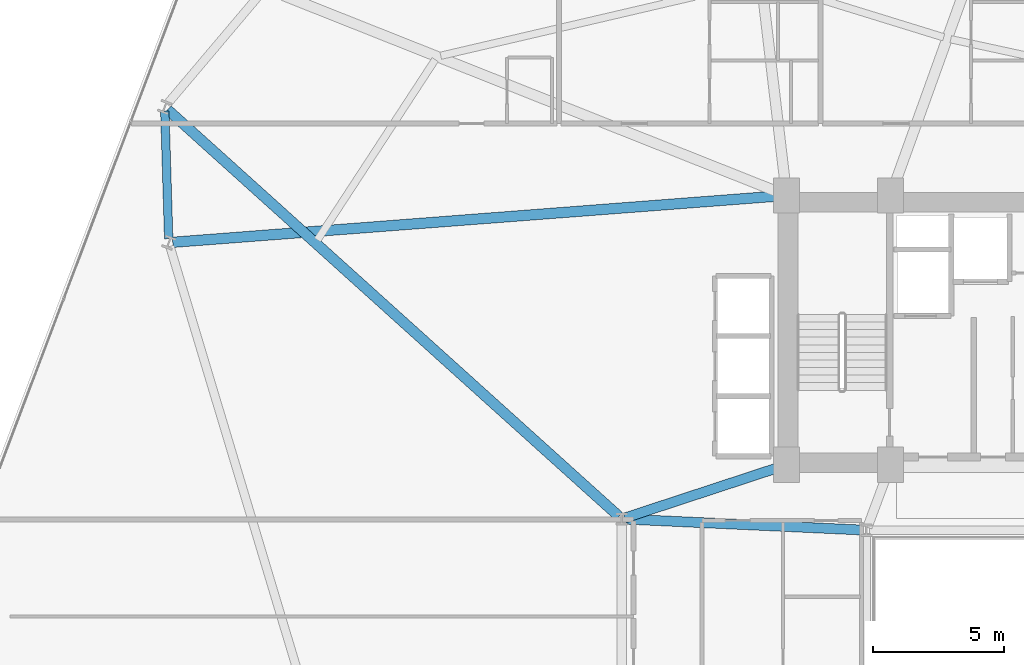
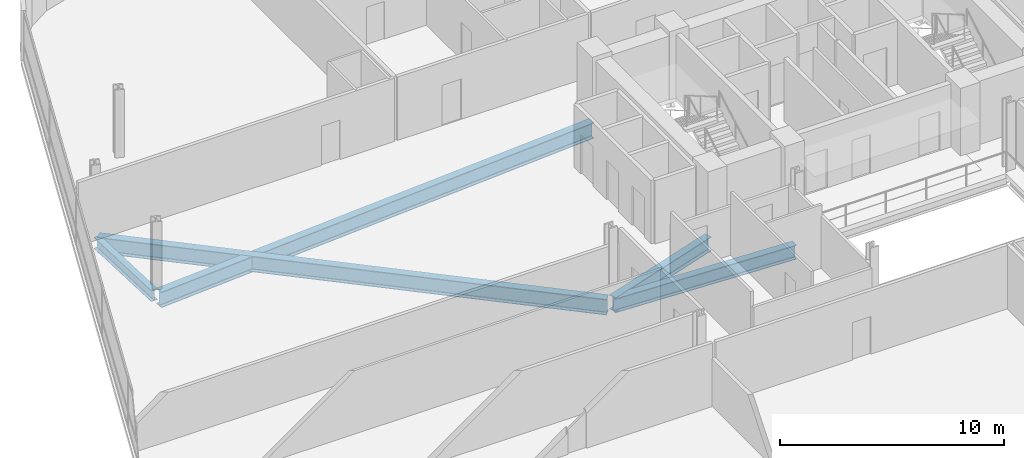
# One storey, part 7 of 24: 5 beams.
"""IFC4 building model written with IfcOpenShell, lengths in metres."""

from ifc_helpers import new_model, si_unit, direction, frame, origin, origin_2d, place, context, subcontext, project, spatial, i_section, extrude, material, material_profile, profile_set, type_object, element, save


model = new_model("IFC4")

# Units and contexts
model_context = context("Model", 3, precision=1e-05, world=origin(), true_north=direction((0.0, 1.0)))
body_context = subcontext(model_context, "Body", "Model", "MODEL_VIEW")
ifc_project = project(units=[si_unit("LENGTHUNIT", "METRE"), si_unit("AREAUNIT", "SQUARE_METRE"), si_unit("VOLUMEUNIT", "CUBIC_METRE"), si_unit("PLANEANGLEUNIT", "RADIAN"), si_unit("MASSUNIT", "GRAM", prefix="KILO")], contexts=[model_context])

# Site, building, storey
site_placement = place(None, origin())
site = spatial("IfcSite", under=ifc_project, at=site_placement, CompositionType="ELEMENT")
building_placement = place(site_placement, origin())
building = spatial("IfcBuilding", under=site, at=building_placement, Name="Varnelok Gate Tower", CompositionType="ELEMENT")
storey_placement = place(building_placement, frame((0.0, 0.0, 102.10009765625)))
storey = spatial("IfcBuildingStorey", under=building, at=storey_placement, Name="L25", CompositionType="ELEMENT", Elevation=102.10009765625)

# Beams
ifc_material = material(Name="Structural Steel ASTM A992 Grade 50", Category="steel")
ifc_material_profile_1 = material_profile(ifc_material, i_section(OverallWidth=0.381103515625, OverallDepth=0.77294921875, WebThickness=0.0166015625, FlangeThickness=0.027099609375, FilletRadius=0.02197265625, at=origin_2d()), Name="W30X173")
ifc_profile_set_1 = profile_set([ifc_material_profile_1], Name="Structural Steel ASTM A992 Grade 50")
beam_type_1 = type_object("IfcBeamType", Name="BM-PRI-W30X173", PredefinedType="BEAM", material=ifc_profile_set_1)
beam_1_placement = place(storey_placement, frame((24.52001953125, 26.674560546875, -0.63671875), z_axis=(0.99894427814, -0.045938319209, 0.0), x_axis=(0.045938319209, 0.99894427814, 0.0)))
element("IfcBeam", 1, at=beam_1_placement, inside=storey, type_object=beam_type_1, Name="L25 Core-Atrium Spine Beam 15", PredefinedType="BEAM", context=body_context, shape_type="SweptSolid", body=[
    extrude(i_section(OverallWidth=0.381103515625, OverallDepth=0.77294921875, WebThickness=0.0166015625, FlangeThickness=0.027099609375, FilletRadius=0.02197265625, at=origin_2d()), origin(), (0.0, 0.0, 1.0), 9.11962890625),
])
beam_2_placement = place(storey_placement, frame((24.513916015625, 26.717529296875, -0.63671875), z_axis=(0.950041943788, 0.312122259768, 0.0), x_axis=(-0.312122259768, 0.950041943788, 0.0)))
element("IfcBeam", 2, at=beam_2_placement, inside=storey, type_object=beam_type_1, Name="L25 Core-Atrium Spine Beam 17", PredefinedType="BEAM", context=body_context, shape_type="SweptSolid", body=[
    extrude(i_section(OverallWidth=0.381103515625, OverallDepth=0.77294921875, WebThickness=0.0166015625, FlangeThickness=0.027099609375, FilletRadius=0.02197265625, at=origin_2d()), origin(), (0.0, 0.0, 1.0), 6.391357421875),
])
ifc_material_profile_2 = material_profile(ifc_material, i_section(OverallWidth=0.39892578125, OverallDepth=0.85498046875, WebThickness=0.018310546875, FlangeThickness=0.029296875, FilletRadius=0.02392578125, at=origin_2d()), Name="W33X201")
ifc_profile_set_2 = profile_set([ifc_material_profile_2], Name="Structural Steel ASTM A992 Grade 50")
beam_type_2 = type_object("IfcBeamType", Name="BM-PRI-W33X201", PredefinedType="BEAM", material=ifc_profile_set_2)
beam_3_placement = place(storey_placement, frame((24.28857421875, 26.780517578125, -0.677490234375), z_axis=(-0.742906696972, 0.669394980258, 0.0), x_axis=(-0.669394980258, -0.742906696972, 0.0)))
element("IfcBeam", 3, at=beam_3_placement, inside=storey, type_object=beam_type_2, Name="L25 Radial Floor Girder 15", PredefinedType="BEAM", context=body_context, shape_type="SweptSolid", body=[
    extrude(i_section(OverallWidth=0.39892578125, OverallDepth=0.85498046875, WebThickness=0.018310546875, FlangeThickness=0.029296875, FilletRadius=0.02392578125, at=origin_2d()), origin(), (0.0, 0.0, 1.0), 23.224609375),
])
beam_4_placement = place(storey_placement, frame((30.55029296875, 39.03857421875, -0.677490234375), z_axis=(-0.997095422745, -0.076162444427, 0.0), x_axis=(0.076162444427, -0.997095422745, 0.0)))
element("IfcBeam", 4, at=beam_4_placement, inside=storey, type_object=beam_type_2, Name="L25 Radial Floor Girder 16", PredefinedType="BEAM", context=body_context, shape_type="SweptSolid", body=[
    extrude(i_section(OverallWidth=0.39892578125, OverallDepth=0.85498046875, WebThickness=0.018310546875, FlangeThickness=0.029296875, FilletRadius=0.02392578125, at=origin_2d()), origin(), (0.0, 0.0, 1.0), 23.387451171875),
])
ifc_material_profile_3 = material_profile(ifc_material, i_section(OverallWidth=0.323974609375, OverallDepth=0.611083984375, WebThickness=0.0126953125, FlangeThickness=0.01904296875, FilletRadius=0.01806640625, at=origin_2d()), Name="W24X104")
ifc_profile_set_3 = profile_set([ifc_material_profile_3], Name="Structural Steel ASTM A992 Grade 50")
beam_type_3 = type_object("IfcBeamType", Name="BM-SPN-W24X104", PredefinedType="SPANDREL", material=ifc_profile_set_3)
beam_5_placement = place(storey_placement, frame((6.927978515625, 42.277587890625, -0.5556640625), z_axis=(0.030393553869, -0.999538009224, 0.0), x_axis=(0.999538009224, 0.030393553869, 0.0)))
element("IfcBeam", 5, at=beam_5_placement, inside=storey, type_object=beam_type_3, Name="L25 Perimeter Spandrel Beam 15", PredefinedType="SPANDREL", context=body_context, shape_type="SweptSolid", body=[
    extrude(i_section(OverallWidth=0.323974609375, OverallDepth=0.611083984375, WebThickness=0.0126953125, FlangeThickness=0.01904296875, FilletRadius=0.01806640625, at=origin_2d()), origin(), (0.0, 0.0, 1.0), 4.8837890625),
])

save(model, "model.ifc")
